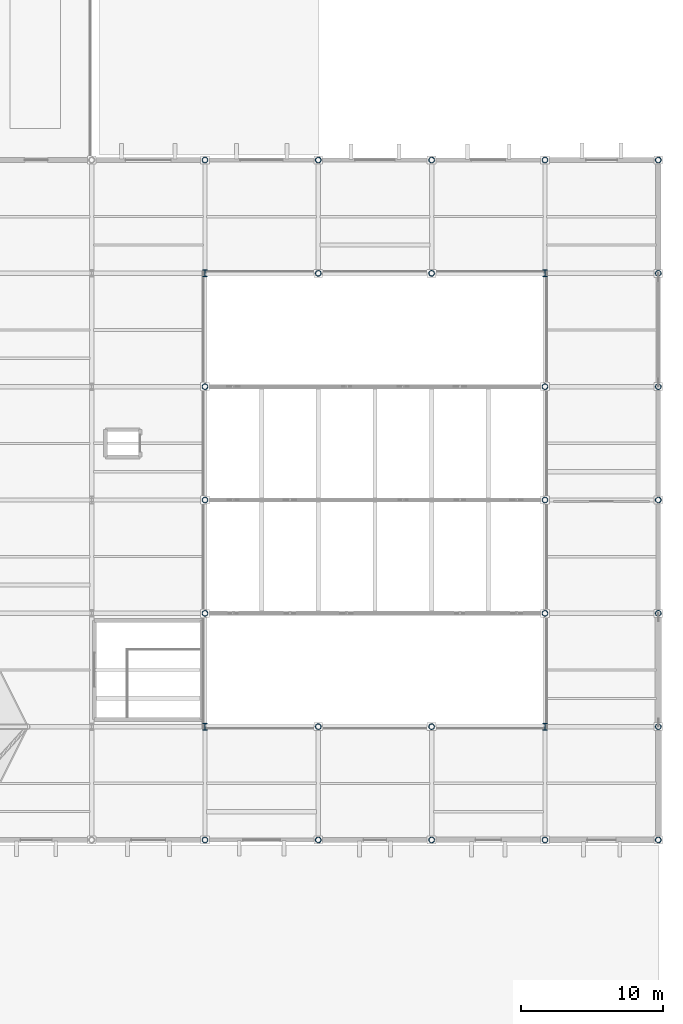
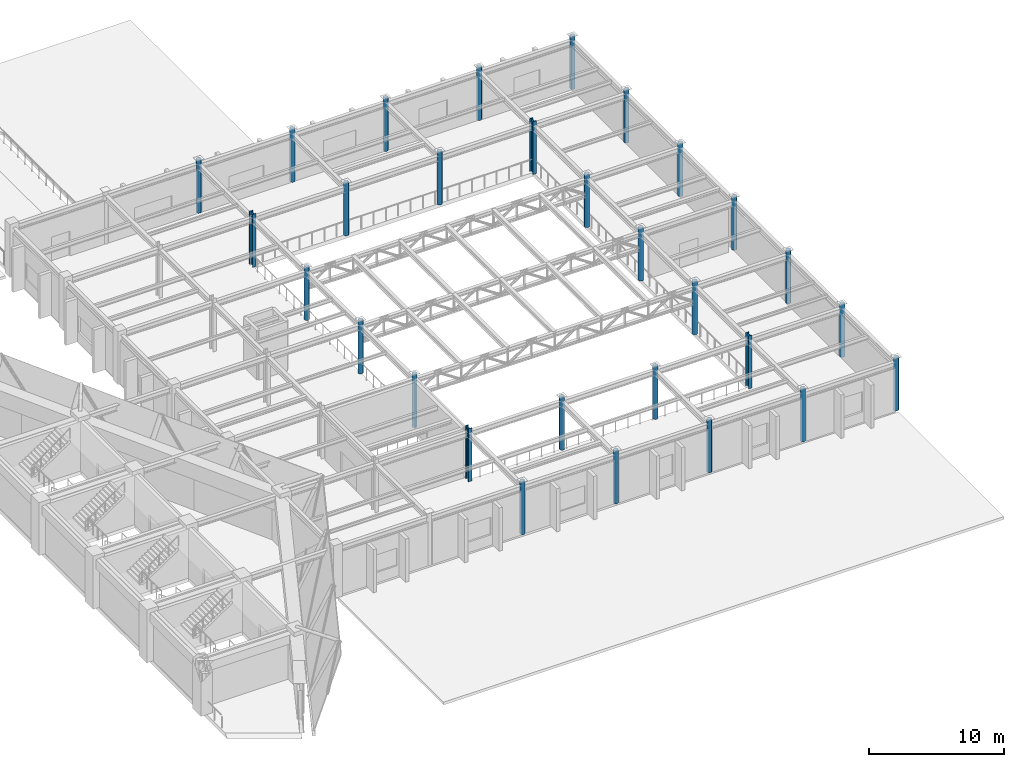
# One storey, part 6 of 46: 29 columns.
"""IFC4 building model written with IfcOpenShell, lengths in metres."""

from ifc_helpers import new_model, si_unit, direction, frame, origin, origin_2d, place, context, subcontext, project, spatial, hollow_circle, i_section, extrude, material, material_profile, profile_set, type_object, element, save


model = new_model("IFC4")

# Units and contexts
model_context = context("Model", 3, precision=1e-05, world=origin(), true_north=direction((0.0, 1.0)))
body_context = subcontext(model_context, "Body", "Model", "MODEL_VIEW")
ifc_project = project(units=[si_unit("LENGTHUNIT", "METRE"), si_unit("AREAUNIT", "SQUARE_METRE"), si_unit("VOLUMEUNIT", "CUBIC_METRE"), si_unit("PLANEANGLEUNIT", "RADIAN"), si_unit("MASSUNIT", "GRAM", prefix="KILO")], contexts=[model_context])

# Site, building, storey
site_placement = place(None, origin())
site = spatial("IfcSite", under=ifc_project, at=site_placement, CompositionType="ELEMENT")
building_placement = place(site_placement, origin())
building = spatial("IfcBuilding", under=site, at=building_placement, Name="Tazarka Park Arena", CompositionType="ELEMENT")
storey_placement = place(building_placement, frame((0.0, 0.0, 10.199951171875)))
storey = spatial("IfcBuildingStorey", under=building, at=storey_placement, Name="L02", CompositionType="ELEMENT", Elevation=10.199951171875)

# Columns
ifc_material_1 = material(Name="Steel S355", Category="steel")
ifc_material_profile_1 = material_profile(ifc_material_1, i_section(OverallWidth=0.300048828125, OverallDepth=0.5, WebThickness=0.014404296875, FlangeThickness=0.028076171875, FilletRadius=0.027099609375, at=origin_2d()), Name="Steel S355")
ifc_profile_set_1 = profile_set([ifc_material_profile_1], Name="Steel S355")
column_type_1 = type_object("IfcColumnType", Name="COL-SC-02", PredefinedType="COLUMN", material=ifc_profile_set_1)
for number, where, z_axis, x_axis, name in (
    (1, (152.0, 64.0, 0.0), (0.0, 0.0, 1.0), (1.0, 0.0, 0.0), "CLM-L02-19-08"),
    (2, (152.0, 96.0, 0.0), (0.0, 0.0, 1.0), (1.0, 0.0, 0.0), "CLM-L02-19-12"),
    (3, (176.0, 64.0, 0.0), (0.0, 0.0, 1.0), (1.0, 0.0, 0.0), "CLM-L02-22-08"),
    (4, (176.0, 96.0, 0.0), (0.0, 0.0, 1.0), (1.0, 0.0, 0.0), "CLM-L02-22-12"),
):
    element("IfcColumn", number, at=place(storey_placement, frame(where, z_axis=z_axis, x_axis=x_axis)), inside=storey, type_object=column_type_1, Name=name, PredefinedType="COLUMN", context=body_context, shape_type="SweptSolid", body=[
        extrude(i_section(OverallWidth=0.300048828125, OverallDepth=0.5, WebThickness=0.014404296875, FlangeThickness=0.028076171875, FilletRadius=0.027099609375, at=origin_2d()), origin(), (0.0, 0.0, 1.0), 4.800048828125),
    ])
ifc_material_2 = material(Name="Steel S355", Category="steel")
ifc_material_profile_2 = material_profile(ifc_material_2, hollow_circle(Radius=0.203125, WallThickness=0.02001953125, at=origin_2d()), Name="Steel S355")
ifc_profile_set_2 = profile_set([ifc_material_profile_2], Name="Steel S355")
column_type_2 = type_object("IfcColumnType", Name="COL-SC-04", PredefinedType="COLUMN", material=ifc_profile_set_2)
for number, where, z_axis, x_axis, name in (
    (5, (152.0, 56.0, 0.0), (0.0, 0.0, 1.0), (1.0, 0.0, 0.0), "CLM-L02-19-07"),
    (6, (152.0, 72.0, 0.0), (0.0, 0.0, 1.0), (1.0, 0.0, 0.0), "CLM-L02-19-09"),
    (7, (152.0, 80.0, 0.0), (0.0, 0.0, 1.0), (1.0, 0.0, 0.0), "CLM-L02-19-10"),
    (8, (152.0, 88.0, 0.0), (0.0, 0.0, 1.0), (1.0, 0.0, 0.0), "CLM-L02-19-11"),
    (9, (152.0, 104.0, 0.0), (0.0, 0.0, 1.0), (1.0, 0.0, 0.0), "CLM-L02-19-13"),
    (10, (160.0, 56.0, 0.0), (0.0, 0.0, 1.0), (1.0, 0.0, 0.0), "CLM-L02-20-07"),
    (11, (160.0, 64.0, 0.0), (0.0, 0.0, 1.0), (1.0, 0.0, 0.0), "CLM-L02-20-08"),
    (12, (160.0, 96.0, 0.0), (0.0, 0.0, 1.0), (1.0, 0.0, 0.0), "CLM-L02-20-12"),
    (13, (160.0, 104.0, 0.0), (0.0, 0.0, 1.0), (1.0, 0.0, 0.0), "CLM-L02-20-13"),
    (14, (168.0, 56.0, 0.0), (0.0, 0.0, 1.0), (1.0, 0.0, 0.0), "CLM-L02-21-07"),
    (15, (168.0, 64.0, 0.0), (0.0, 0.0, 1.0), (1.0, 0.0, 0.0), "CLM-L02-21-08"),
    (16, (168.0, 96.0, 0.0), (0.0, 0.0, 1.0), (1.0, 0.0, 0.0), "CLM-L02-21-12"),
    (17, (168.0, 104.0, 0.0), (0.0, 0.0, 1.0), (1.0, 0.0, 0.0), "CLM-L02-21-13"),
    (18, (176.0, 56.0, 0.0), (0.0, 0.0, 1.0), (1.0, 0.0, 0.0), "CLM-L02-22-07"),
    (19, (176.0, 72.0, 0.0), (0.0, 0.0, 1.0), (1.0, 0.0, 0.0), "CLM-L02-22-09"),
    (20, (176.0, 80.0, 0.0), (0.0, 0.0, 1.0), (1.0, 0.0, 0.0), "CLM-L02-22-10"),
    (21, (176.0, 88.0, 0.0), (0.0, 0.0, 1.0), (1.0, 0.0, 0.0), "CLM-L02-22-11"),
    (22, (176.0, 104.0, 0.0), (0.0, 0.0, 1.0), (1.0, 0.0, 0.0), "CLM-L02-22-13"),
    (23, (184.0, 56.0, 0.0), (0.0, 0.0, 1.0), (1.0, 0.0, 0.0), "CLM-L02-23-07"),
    (24, (184.0, 64.0, 0.0), (0.0, 0.0, 1.0), (1.0, 0.0, 0.0), "CLM-L02-23-08"),
    (25, (184.0, 72.0, 0.0), (0.0, 0.0, 1.0), (1.0, 0.0, 0.0), "CLM-L02-23-09"),
    (26, (184.0, 80.0, 0.0), (0.0, 0.0, 1.0), (1.0, 0.0, 0.0), "CLM-L02-23-10"),
    (27, (184.0, 88.0, 0.0), (0.0, 0.0, 1.0), (1.0, 0.0, 0.0), "CLM-L02-23-11"),
    (28, (184.0, 96.0, 0.0), (0.0, 0.0, 1.0), (1.0, 0.0, 0.0), "CLM-L02-23-12"),
    (29, (184.0, 104.0, 0.0), (0.0, 0.0, 1.0), (1.0, 0.0, 0.0), "CLM-L02-23-13"),
):
    element("IfcColumn", number, at=place(storey_placement, frame(where, z_axis=z_axis, x_axis=x_axis)), inside=storey, type_object=column_type_2, Name=name, PredefinedType="COLUMN", context=body_context, shape_type="SweptSolid", body=[
        extrude(hollow_circle(Radius=0.203125, WallThickness=0.02001953125, at=origin_2d()), origin(), (0.0, 0.0, 1.0), 4.800048828125),
    ])

save(model, "model.ifc")
